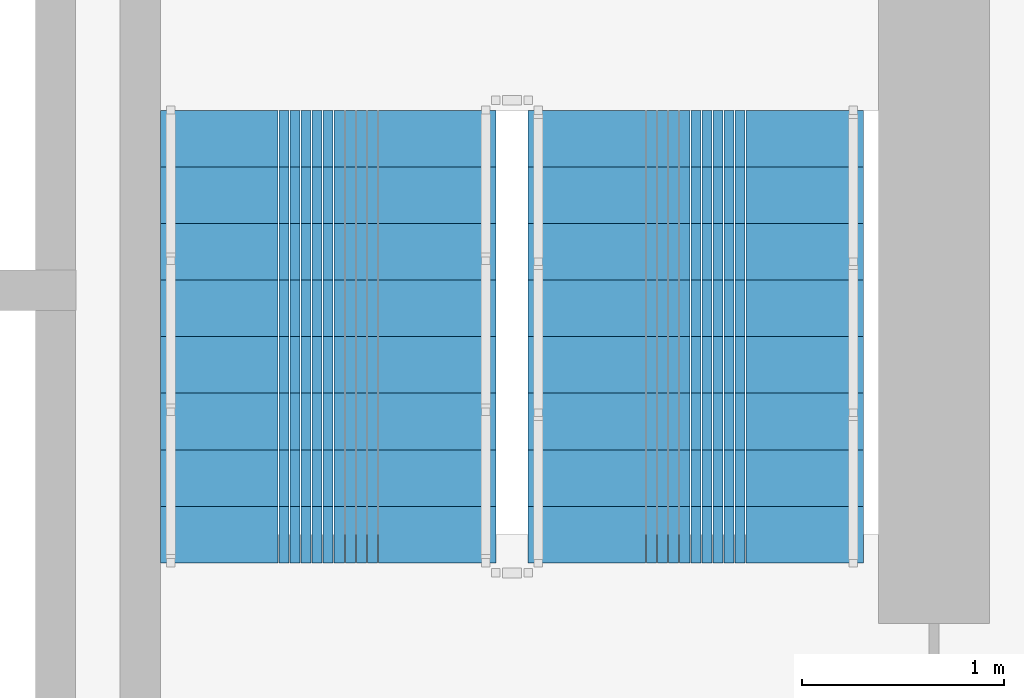
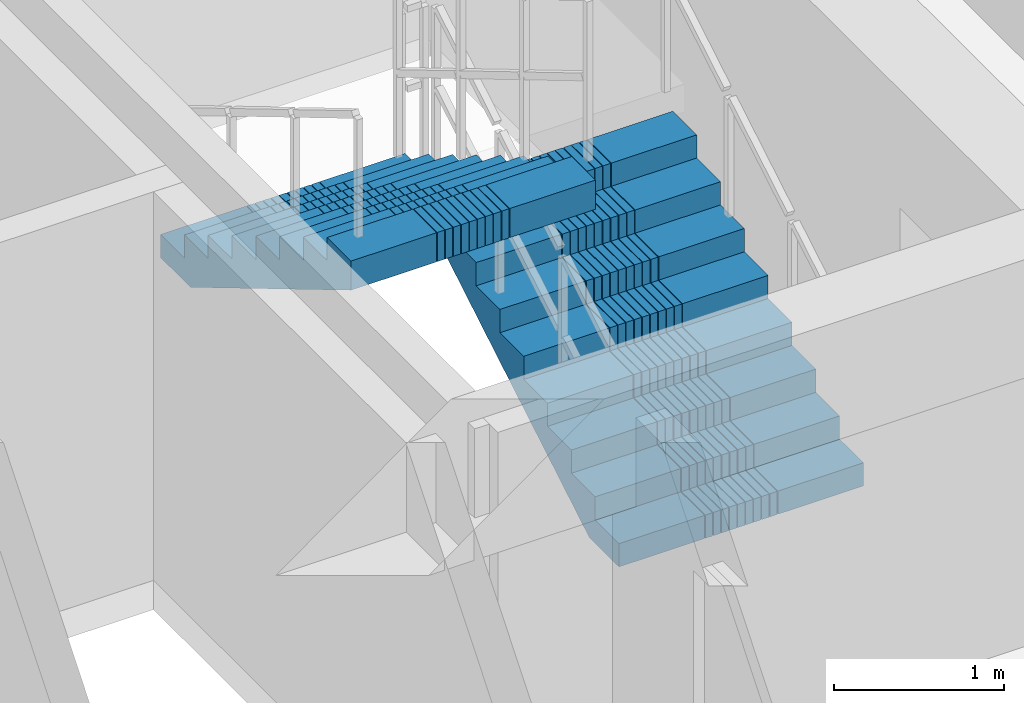
# One storey, part 9 of 13: 2 stair flights, 1 element without a shape of its own.
"""IFC4 building model written with IfcOpenShell, lengths in metres."""

from ifc_helpers import new_model, si_unit, direction, frame, origin, place, context, subcontext, project, spatial, polyline, outline, extrude, material, type_object, element, aggregate, save


model = new_model("IFC4")

# Units and contexts
model_context = context("Model", 3, precision=1e-05, world=origin(), true_north=direction((0.0, 1.0)))
body_context = subcontext(model_context, "Body", "Model", "MODEL_VIEW")
ifc_project = project(units=[si_unit("LENGTHUNIT", "METRE"), si_unit("AREAUNIT", "SQUARE_METRE"), si_unit("VOLUMEUNIT", "CUBIC_METRE"), si_unit("PLANEANGLEUNIT", "RADIAN"), si_unit("MASSUNIT", "GRAM", prefix="KILO")], contexts=[model_context])

# Site, building, storey
site_placement = place(None, origin())
site = spatial("IfcSite", under=ifc_project, at=site_placement, CompositionType="ELEMENT")
building_placement = place(site_placement, origin())
building = spatial("IfcBuilding", under=site, at=building_placement, Name="Saelheon Loggia Tower", CompositionType="ELEMENT")
storey_placement = place(building_placement, frame((0.0, 0.0, 83.85009765625)))
storey = spatial("IfcBuildingStorey", under=building, at=storey_placement, Name="L26", CompositionType="ELEMENT", Elevation=83.85009765625)

# Stair, stair flights
ifc_material = material(Name="Concrete C40/50", Category="concrete")
stair_type = type_object("IfcStairType", Name="Stair_Escape_Core", PredefinedType="HALF_TURN_STAIR", material=ifc_material)
stair_placement = place(storey_placement, origin())
stair = element("IfcStair", 1, at=stair_placement, inside=storey, type_object=stair_type, Name="L26 Special Escape Stair ST2", PredefinedType="HALF_TURN_STAIR")
stair_flight_type = type_object("IfcStairFlightType", Name="StairFlight_Tower_1660", PredefinedType="STRAIGHT", material=ifc_material)
stair_flight_1_placement = place(storey_placement, frame((43.320068359375, 30.449951171875, 0.0), z_axis=(0.0, 0.0, 1.0), x_axis=(0.0, 1.0, 0.0)))
stair_flight_1 = element("IfcStairFlight", 2, at=stair_flight_1_placement, type_object=stair_flight_type, Name="ST2 flight 1", NumberOfRisers=9, NumberOfTreads=8, PredefinedType="STRAIGHT", RiserHeight=0.166666667, TreadLength=0.28, context=body_context, shape_type="SweptSolid", body=[
    extrude(outline(polyline([(0.0, 0.0), (0.0, 0.166748046875), (0.280029296875, 0.166748046875), (0.280029296875, 0.333251953125), (0.56005859375, 0.333251953125), (0.56005859375, 0.5), (0.840087890625, 0.5), (0.840087890625, 0.666748046875), (1.1201171875, 0.666748046875), (1.1201171875, 0.833251953125), (1.39990234375, 0.833251953125), (1.39990234375, 1.0), (1.679931640625, 1.0), (1.679931640625, 1.166748046875), (1.9599609375, 1.166748046875), (1.9599609375, 1.333251953125), (2.239990234375, 1.333251953125), (2.239990234375, 1.5), (2.239990234375, 1.1240234375), (0.351806640625, 0.0), (0.0, 0.0)])), frame((0.0, -0.2490234375, 0.0), z_axis=(0.0, -1.0, 0.0), x_axis=(1.0, 0.0, 0.0)), (0.0, 0.0, 1.0), 0.5810546875),
    extrude(outline(polyline([(0.0, 0.0), (0.0, 0.166748046875), (0.280029296875, 0.166748046875), (0.280029296875, 0.333251953125), (0.56005859375, 0.333251953125), (0.56005859375, 0.5), (0.840087890625, 0.5), (0.840087890625, 0.666748046875), (1.1201171875, 0.666748046875), (1.1201171875, 0.833251953125), (1.39990234375, 0.833251953125), (1.39990234375, 1.0), (1.679931640625, 1.0), (1.679931640625, 1.166748046875), (1.9599609375, 1.166748046875), (1.9599609375, 1.333251953125), (2.239990234375, 1.333251953125), (2.239990234375, 1.5), (2.239990234375, 1.1240234375), (0.351806640625, 0.0), (0.0, 0.0)])), frame((0.0, -0.194091796875, 0.0), z_axis=(0.0, -1.0, 0.0), x_axis=(1.0, 0.0, 0.0)), (0.0, 0.0, 1.0), 0.0498046875),
    extrude(outline(polyline([(0.0, 0.0), (0.0, 0.166748046875), (0.280029296875, 0.166748046875), (0.280029296875, 0.333251953125), (0.56005859375, 0.333251953125), (0.56005859375, 0.5), (0.840087890625, 0.5), (0.840087890625, 0.666748046875), (1.1201171875, 0.666748046875), (1.1201171875, 0.833251953125), (1.39990234375, 0.833251953125), (1.39990234375, 1.0), (1.679931640625, 1.0), (1.679931640625, 1.166748046875), (1.9599609375, 1.166748046875), (1.9599609375, 1.333251953125), (2.239990234375, 1.333251953125), (2.239990234375, 1.5), (2.239990234375, 1.1240234375), (0.351806640625, 0.0), (0.0, 0.0)])), frame((0.0, -0.139404296875, 0.0), z_axis=(0.0, -1.0, 0.0), x_axis=(1.0, 0.0, 0.0)), (0.0, 0.0, 1.0), 0.0498046875),
    extrude(outline(polyline([(0.0, 0.0), (0.0, 0.166748046875), (0.280029296875, 0.166748046875), (0.280029296875, 0.333251953125), (0.56005859375, 0.333251953125), (0.56005859375, 0.5), (0.840087890625, 0.5), (0.840087890625, 0.666748046875), (1.1201171875, 0.666748046875), (1.1201171875, 0.833251953125), (1.39990234375, 0.833251953125), (1.39990234375, 1.0), (1.679931640625, 1.0), (1.679931640625, 1.166748046875), (1.9599609375, 1.166748046875), (1.9599609375, 1.333251953125), (2.239990234375, 1.333251953125), (2.239990234375, 1.5), (2.239990234375, 1.1240234375), (0.351806640625, 0.0), (0.0, 0.0)])), frame((0.0, -0.084716796875, 0.0), z_axis=(0.0, -1.0, 0.0), x_axis=(1.0, 0.0, 0.0)), (0.0, 0.0, 1.0), 0.0498046875),
    extrude(outline(polyline([(0.0, 0.0), (0.0, 0.166748046875), (0.280029296875, 0.166748046875), (0.280029296875, 0.333251953125), (0.56005859375, 0.333251953125), (0.56005859375, 0.5), (0.840087890625, 0.5), (0.840087890625, 0.666748046875), (1.1201171875, 0.666748046875), (1.1201171875, 0.833251953125), (1.39990234375, 0.833251953125), (1.39990234375, 1.0), (1.679931640625, 1.0), (1.679931640625, 1.166748046875), (1.9599609375, 1.166748046875), (1.9599609375, 1.333251953125), (2.239990234375, 1.333251953125), (2.239990234375, 1.5), (2.239990234375, 1.1240234375), (0.351806640625, 0.0), (0.0, 0.0)])), frame((0.0, -0.02978515625, 0.0), z_axis=(0.0, -1.0, 0.0), x_axis=(1.0, 0.0, 0.0)), (0.0, 0.0, 1.0), 0.0498046875),
    extrude(outline(polyline([(0.0, 0.0), (0.0, 0.166748046875), (0.280029296875, 0.166748046875), (0.280029296875, 0.333251953125), (0.56005859375, 0.333251953125), (0.56005859375, 0.5), (0.840087890625, 0.5), (0.840087890625, 0.666748046875), (1.1201171875, 0.666748046875), (1.1201171875, 0.833251953125), (1.39990234375, 0.833251953125), (1.39990234375, 1.0), (1.679931640625, 1.0), (1.679931640625, 1.166748046875), (1.9599609375, 1.166748046875), (1.9599609375, 1.333251953125), (2.239990234375, 1.333251953125), (2.239990234375, 1.5), (2.239990234375, 1.1240234375), (0.351806640625, 0.0), (0.0, 0.0)])), frame((0.0, 0.02490234375, 0.0), z_axis=(0.0, -1.0, 0.0), x_axis=(1.0, 0.0, 0.0)), (0.0, 0.0, 1.0), 0.0498046875),
    extrude(outline(polyline([(0.0, 0.0), (0.0, 0.166748046875), (0.280029296875, 0.166748046875), (0.280029296875, 0.333251953125), (0.56005859375, 0.333251953125), (0.56005859375, 0.5), (0.840087890625, 0.5), (0.840087890625, 0.666748046875), (1.1201171875, 0.666748046875), (1.1201171875, 0.833251953125), (1.39990234375, 0.833251953125), (1.39990234375, 1.0), (1.679931640625, 1.0), (1.679931640625, 1.166748046875), (1.9599609375, 1.166748046875), (1.9599609375, 1.333251953125), (2.239990234375, 1.333251953125), (2.239990234375, 1.5), (2.239990234375, 1.1240234375), (0.351806640625, 0.0), (0.0, 0.0)])), frame((0.0, 0.07958984375, 0.0), z_axis=(0.0, -1.0, 0.0), x_axis=(1.0, 0.0, 0.0)), (0.0, 0.0, 1.0), 0.0498046875),
    extrude(outline(polyline([(0.0, 0.0), (0.0, 0.166748046875), (0.280029296875, 0.166748046875), (0.280029296875, 0.333251953125), (0.56005859375, 0.333251953125), (0.56005859375, 0.5), (0.840087890625, 0.5), (0.840087890625, 0.666748046875), (1.1201171875, 0.666748046875), (1.1201171875, 0.833251953125), (1.39990234375, 0.833251953125), (1.39990234375, 1.0), (1.679931640625, 1.0), (1.679931640625, 1.166748046875), (1.9599609375, 1.166748046875), (1.9599609375, 1.333251953125), (2.239990234375, 1.333251953125), (2.239990234375, 1.5), (2.239990234375, 1.1240234375), (0.351806640625, 0.0), (0.0, 0.0)])), frame((0.0, 0.134521484375, 0.0), z_axis=(0.0, -1.0, 0.0), x_axis=(1.0, 0.0, 0.0)), (0.0, 0.0, 1.0), 0.0498046875),
    extrude(outline(polyline([(0.0, 0.0), (0.0, 0.166748046875), (0.280029296875, 0.166748046875), (0.280029296875, 0.333251953125), (0.56005859375, 0.333251953125), (0.56005859375, 0.5), (0.840087890625, 0.5), (0.840087890625, 0.666748046875), (1.1201171875, 0.666748046875), (1.1201171875, 0.833251953125), (1.39990234375, 0.833251953125), (1.39990234375, 1.0), (1.679931640625, 1.0), (1.679931640625, 1.166748046875), (1.9599609375, 1.166748046875), (1.9599609375, 1.333251953125), (2.239990234375, 1.333251953125), (2.239990234375, 1.5), (2.239990234375, 1.1240234375), (0.351806640625, 0.0), (0.0, 0.0)])), frame((0.0, 0.189208984375, 0.0), z_axis=(0.0, -1.0, 0.0), x_axis=(1.0, 0.0, 0.0)), (0.0, 0.0, 1.0), 0.0498046875),
    extrude(outline(polyline([(0.0, 0.0), (0.0, 0.166748046875), (0.280029296875, 0.166748046875), (0.280029296875, 0.333251953125), (0.56005859375, 0.333251953125), (0.56005859375, 0.5), (0.840087890625, 0.5), (0.840087890625, 0.666748046875), (1.1201171875, 0.666748046875), (1.1201171875, 0.833251953125), (1.39990234375, 0.833251953125), (1.39990234375, 1.0), (1.679931640625, 1.0), (1.679931640625, 1.166748046875), (1.9599609375, 1.166748046875), (1.9599609375, 1.333251953125), (2.239990234375, 1.333251953125), (2.239990234375, 1.5), (2.239990234375, 1.1240234375), (0.351806640625, 0.0), (0.0, 0.0)])), frame((0.0, 0.243896484375, 0.0), z_axis=(0.0, -1.0, 0.0), x_axis=(1.0, 0.0, 0.0)), (0.0, 0.0, 1.0), 0.0498046875),
    extrude(outline(polyline([(0.0, 0.0), (0.0, 0.166748046875), (0.280029296875, 0.166748046875), (0.280029296875, 0.333251953125), (0.56005859375, 0.333251953125), (0.56005859375, 0.5), (0.840087890625, 0.5), (0.840087890625, 0.666748046875), (1.1201171875, 0.666748046875), (1.1201171875, 0.833251953125), (1.39990234375, 0.833251953125), (1.39990234375, 1.0), (1.679931640625, 1.0), (1.679931640625, 1.166748046875), (1.9599609375, 1.166748046875), (1.9599609375, 1.333251953125), (2.239990234375, 1.333251953125), (2.239990234375, 1.5), (2.239990234375, 1.1240234375), (0.351806640625, 0.0), (0.0, 0.0)])), frame((0.0, 0.830078125, 0.0), z_axis=(0.0, -1.0, 0.0), x_axis=(1.0, 0.0, 0.0)), (0.0, 0.0, 1.0), 0.5810546875),
])
stair_flight_2_placement = place(storey_placement, frame((41.5, 32.68994140625, 1.5), z_axis=(0.0, 0.0, 1.0), x_axis=(0.0, -1.0, 0.0)))
stair_flight_2 = element("IfcStairFlight", 3, at=stair_flight_2_placement, type_object=stair_flight_type, Name="ST2 flight 2", NumberOfRisers=9, NumberOfTreads=8, PredefinedType="STRAIGHT", RiserHeight=0.166666667, TreadLength=0.28, context=body_context, shape_type="SweptSolid", body=[
    extrude(outline(polyline([(0.0, 0.0), (0.0, 0.166748046875), (0.280029296875, 0.166748046875), (0.280029296875, 0.333251953125), (0.56005859375, 0.333251953125), (0.56005859375, 0.5), (0.840087890625, 0.5), (0.840087890625, 0.666748046875), (1.1201171875, 0.666748046875), (1.1201171875, 0.833251953125), (1.39990234375, 0.833251953125), (1.39990234375, 1.0), (1.679931640625, 1.0), (1.679931640625, 1.166748046875), (1.9599609375, 1.166748046875), (1.9599609375, 1.333251953125), (2.239990234375, 1.333251953125), (2.239990234375, 1.5), (2.239990234375, 1.1240234375), (0.351806640625, 0.0), (0.0, 0.0)])), frame((0.0, -0.2490234375, 0.0), z_axis=(0.0, -1.0, 0.0), x_axis=(1.0, 0.0, 0.0)), (0.0, 0.0, 1.0), 0.5810546875),
    extrude(outline(polyline([(0.0, 0.0), (0.0, 0.166748046875), (0.280029296875, 0.166748046875), (0.280029296875, 0.333251953125), (0.56005859375, 0.333251953125), (0.56005859375, 0.5), (0.840087890625, 0.5), (0.840087890625, 0.666748046875), (1.1201171875, 0.666748046875), (1.1201171875, 0.833251953125), (1.39990234375, 0.833251953125), (1.39990234375, 1.0), (1.679931640625, 1.0), (1.679931640625, 1.166748046875), (1.9599609375, 1.166748046875), (1.9599609375, 1.333251953125), (2.239990234375, 1.333251953125), (2.239990234375, 1.5), (2.239990234375, 1.1240234375), (0.351806640625, 0.0), (0.0, 0.0)])), frame((0.0, -0.194091796875, 0.0), z_axis=(0.0, -1.0, 0.0), x_axis=(1.0, 0.0, 0.0)), (0.0, 0.0, 1.0), 0.0498046875),
    extrude(outline(polyline([(0.0, 0.0), (0.0, 0.166748046875), (0.280029296875, 0.166748046875), (0.280029296875, 0.333251953125), (0.56005859375, 0.333251953125), (0.56005859375, 0.5), (0.840087890625, 0.5), (0.840087890625, 0.666748046875), (1.1201171875, 0.666748046875), (1.1201171875, 0.833251953125), (1.39990234375, 0.833251953125), (1.39990234375, 1.0), (1.679931640625, 1.0), (1.679931640625, 1.166748046875), (1.9599609375, 1.166748046875), (1.9599609375, 1.333251953125), (2.239990234375, 1.333251953125), (2.239990234375, 1.5), (2.239990234375, 1.1240234375), (0.351806640625, 0.0), (0.0, 0.0)])), frame((0.0, -0.139404296875, 0.0), z_axis=(0.0, -1.0, 0.0), x_axis=(1.0, 0.0, 0.0)), (0.0, 0.0, 1.0), 0.0498046875),
    extrude(outline(polyline([(0.0, 0.0), (0.0, 0.166748046875), (0.280029296875, 0.166748046875), (0.280029296875, 0.333251953125), (0.56005859375, 0.333251953125), (0.56005859375, 0.5), (0.840087890625, 0.5), (0.840087890625, 0.666748046875), (1.1201171875, 0.666748046875), (1.1201171875, 0.833251953125), (1.39990234375, 0.833251953125), (1.39990234375, 1.0), (1.679931640625, 1.0), (1.679931640625, 1.166748046875), (1.9599609375, 1.166748046875), (1.9599609375, 1.333251953125), (2.239990234375, 1.333251953125), (2.239990234375, 1.5), (2.239990234375, 1.1240234375), (0.351806640625, 0.0), (0.0, 0.0)])), frame((0.0, -0.084716796875, 0.0), z_axis=(0.0, -1.0, 0.0), x_axis=(1.0, 0.0, 0.0)), (0.0, 0.0, 1.0), 0.0498046875),
    extrude(outline(polyline([(0.0, 0.0), (0.0, 0.166748046875), (0.280029296875, 0.166748046875), (0.280029296875, 0.333251953125), (0.56005859375, 0.333251953125), (0.56005859375, 0.5), (0.840087890625, 0.5), (0.840087890625, 0.666748046875), (1.1201171875, 0.666748046875), (1.1201171875, 0.833251953125), (1.39990234375, 0.833251953125), (1.39990234375, 1.0), (1.679931640625, 1.0), (1.679931640625, 1.166748046875), (1.9599609375, 1.166748046875), (1.9599609375, 1.333251953125), (2.239990234375, 1.333251953125), (2.239990234375, 1.5), (2.239990234375, 1.1240234375), (0.351806640625, 0.0), (0.0, 0.0)])), frame((0.0, -0.02978515625, 0.0), z_axis=(0.0, -1.0, 0.0), x_axis=(1.0, 0.0, 0.0)), (0.0, 0.0, 1.0), 0.0498046875),
    extrude(outline(polyline([(0.0, 0.0), (0.0, 0.166748046875), (0.280029296875, 0.166748046875), (0.280029296875, 0.333251953125), (0.56005859375, 0.333251953125), (0.56005859375, 0.5), (0.840087890625, 0.5), (0.840087890625, 0.666748046875), (1.1201171875, 0.666748046875), (1.1201171875, 0.833251953125), (1.39990234375, 0.833251953125), (1.39990234375, 1.0), (1.679931640625, 1.0), (1.679931640625, 1.166748046875), (1.9599609375, 1.166748046875), (1.9599609375, 1.333251953125), (2.239990234375, 1.333251953125), (2.239990234375, 1.5), (2.239990234375, 1.1240234375), (0.351806640625, 0.0), (0.0, 0.0)])), frame((0.0, 0.02490234375, 0.0), z_axis=(0.0, -1.0, 0.0), x_axis=(1.0, 0.0, 0.0)), (0.0, 0.0, 1.0), 0.0498046875),
    extrude(outline(polyline([(0.0, 0.0), (0.0, 0.166748046875), (0.280029296875, 0.166748046875), (0.280029296875, 0.333251953125), (0.56005859375, 0.333251953125), (0.56005859375, 0.5), (0.840087890625, 0.5), (0.840087890625, 0.666748046875), (1.1201171875, 0.666748046875), (1.1201171875, 0.833251953125), (1.39990234375, 0.833251953125), (1.39990234375, 1.0), (1.679931640625, 1.0), (1.679931640625, 1.166748046875), (1.9599609375, 1.166748046875), (1.9599609375, 1.333251953125), (2.239990234375, 1.333251953125), (2.239990234375, 1.5), (2.239990234375, 1.1240234375), (0.351806640625, 0.0), (0.0, 0.0)])), frame((0.0, 0.07958984375, 0.0), z_axis=(0.0, -1.0, 0.0), x_axis=(1.0, 0.0, 0.0)), (0.0, 0.0, 1.0), 0.0498046875),
    extrude(outline(polyline([(0.0, 0.0), (0.0, 0.166748046875), (0.280029296875, 0.166748046875), (0.280029296875, 0.333251953125), (0.56005859375, 0.333251953125), (0.56005859375, 0.5), (0.840087890625, 0.5), (0.840087890625, 0.666748046875), (1.1201171875, 0.666748046875), (1.1201171875, 0.833251953125), (1.39990234375, 0.833251953125), (1.39990234375, 1.0), (1.679931640625, 1.0), (1.679931640625, 1.166748046875), (1.9599609375, 1.166748046875), (1.9599609375, 1.333251953125), (2.239990234375, 1.333251953125), (2.239990234375, 1.5), (2.239990234375, 1.1240234375), (0.351806640625, 0.0), (0.0, 0.0)])), frame((0.0, 0.134521484375, 0.0), z_axis=(0.0, -1.0, 0.0), x_axis=(1.0, 0.0, 0.0)), (0.0, 0.0, 1.0), 0.0498046875),
    extrude(outline(polyline([(0.0, 0.0), (0.0, 0.166748046875), (0.280029296875, 0.166748046875), (0.280029296875, 0.333251953125), (0.56005859375, 0.333251953125), (0.56005859375, 0.5), (0.840087890625, 0.5), (0.840087890625, 0.666748046875), (1.1201171875, 0.666748046875), (1.1201171875, 0.833251953125), (1.39990234375, 0.833251953125), (1.39990234375, 1.0), (1.679931640625, 1.0), (1.679931640625, 1.166748046875), (1.9599609375, 1.166748046875), (1.9599609375, 1.333251953125), (2.239990234375, 1.333251953125), (2.239990234375, 1.5), (2.239990234375, 1.1240234375), (0.351806640625, 0.0), (0.0, 0.0)])), frame((0.0, 0.189208984375, 0.0), z_axis=(0.0, -1.0, 0.0), x_axis=(1.0, 0.0, 0.0)), (0.0, 0.0, 1.0), 0.0498046875),
    extrude(outline(polyline([(0.0, 0.0), (0.0, 0.166748046875), (0.280029296875, 0.166748046875), (0.280029296875, 0.333251953125), (0.56005859375, 0.333251953125), (0.56005859375, 0.5), (0.840087890625, 0.5), (0.840087890625, 0.666748046875), (1.1201171875, 0.666748046875), (1.1201171875, 0.833251953125), (1.39990234375, 0.833251953125), (1.39990234375, 1.0), (1.679931640625, 1.0), (1.679931640625, 1.166748046875), (1.9599609375, 1.166748046875), (1.9599609375, 1.333251953125), (2.239990234375, 1.333251953125), (2.239990234375, 1.5), (2.239990234375, 1.1240234375), (0.351806640625, 0.0), (0.0, 0.0)])), frame((0.0, 0.243896484375, 0.0), z_axis=(0.0, -1.0, 0.0), x_axis=(1.0, 0.0, 0.0)), (0.0, 0.0, 1.0), 0.0498046875),
    extrude(outline(polyline([(0.0, 0.0), (0.0, 0.166748046875), (0.280029296875, 0.166748046875), (0.280029296875, 0.333251953125), (0.56005859375, 0.333251953125), (0.56005859375, 0.5), (0.840087890625, 0.5), (0.840087890625, 0.666748046875), (1.1201171875, 0.666748046875), (1.1201171875, 0.833251953125), (1.39990234375, 0.833251953125), (1.39990234375, 1.0), (1.679931640625, 1.0), (1.679931640625, 1.166748046875), (1.9599609375, 1.166748046875), (1.9599609375, 1.333251953125), (2.239990234375, 1.333251953125), (2.239990234375, 1.5), (2.239990234375, 1.1240234375), (0.351806640625, 0.0), (0.0, 0.0)])), frame((0.0, 0.830078125, 0.0), z_axis=(0.0, -1.0, 0.0), x_axis=(1.0, 0.0, 0.0)), (0.0, 0.0, 1.0), 0.5810546875),
])
aggregate(stair, [stair_flight_1, stair_flight_2])

save(model, "model.ifc")
